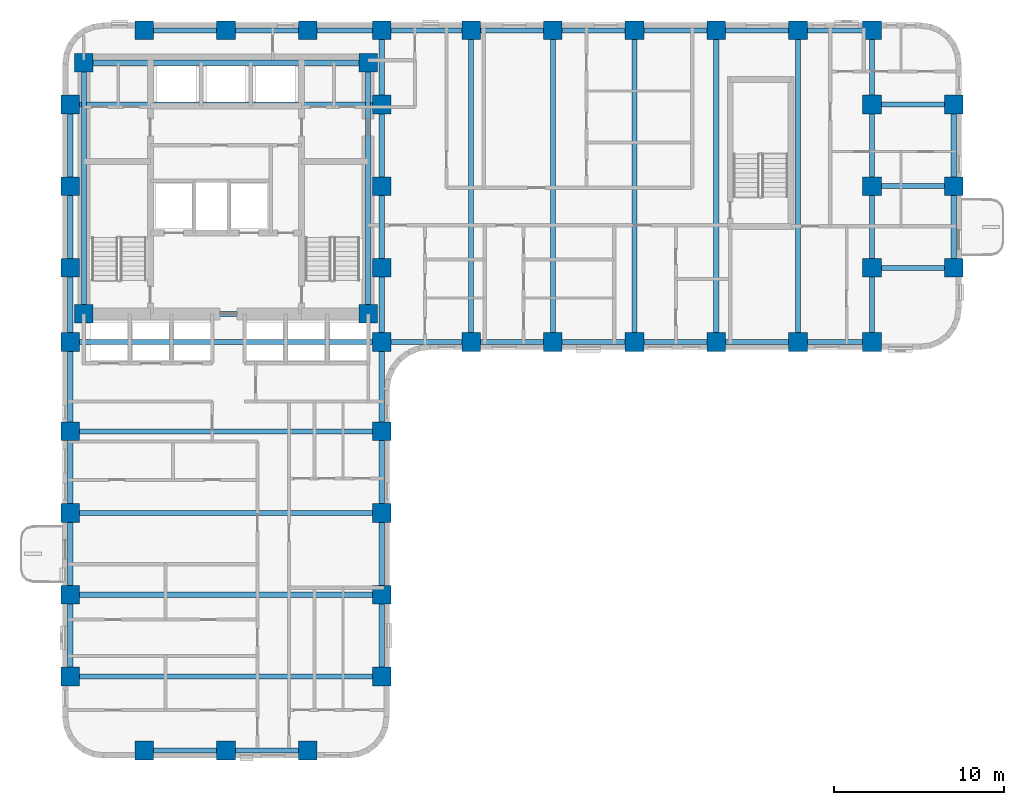
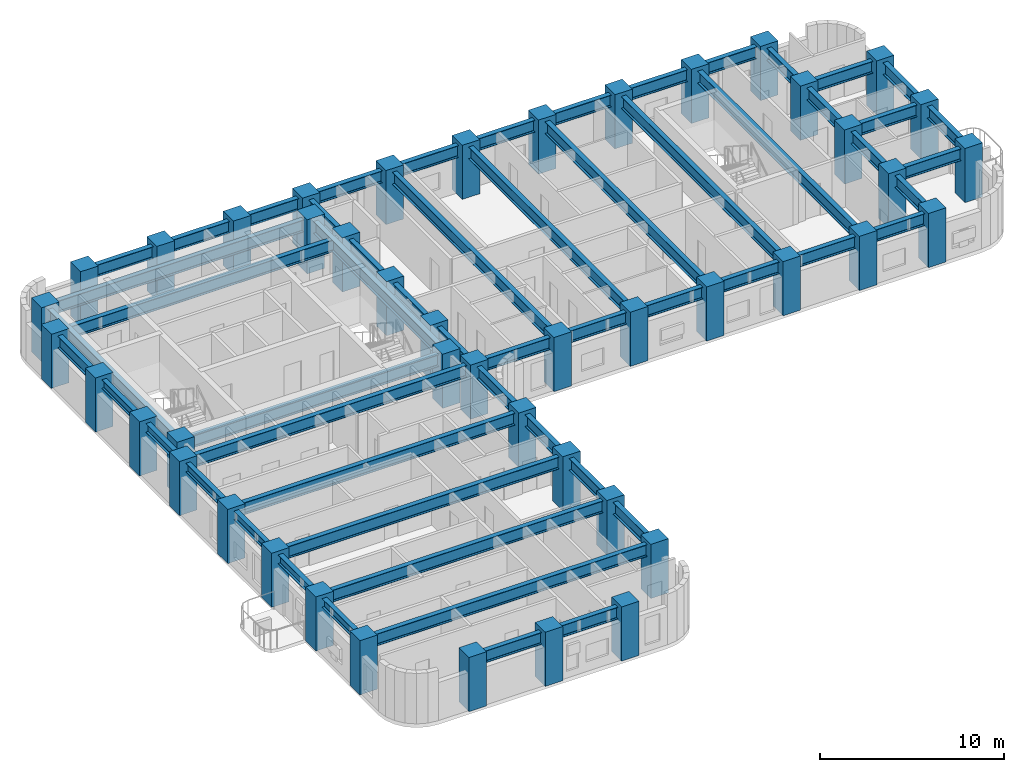
# One storey, part 1 of 11: 56 beams, 45 columns.
"""IFC4 building model written with IfcOpenShell, lengths in metres."""

from ifc_helpers import new_model, si_unit, direction, frame, origin, origin_2d, place, context, subcontext, project, spatial, rectangle, i_section, extrude, material, material_profile, profile_set, type_object, element, save


model = new_model("IFC4")

# Units and contexts
model_context = context("Model", 3, precision=1e-05, world=origin(), true_north=direction((0.0, 1.0)))
body_context = subcontext(model_context, "Body", "Model", "MODEL_VIEW")
ifc_project = project(units=[si_unit("LENGTHUNIT", "METRE"), si_unit("AREAUNIT", "SQUARE_METRE"), si_unit("VOLUMEUNIT", "CUBIC_METRE"), si_unit("PLANEANGLEUNIT", "RADIAN"), si_unit("MASSUNIT", "GRAM", prefix="KILO")], contexts=[model_context])

# Site, building, storey
site_placement = place(None, origin())
site = spatial("IfcSite", under=ifc_project, at=site_placement, CompositionType="ELEMENT")
building_placement = place(site_placement, origin())
building = spatial("IfcBuilding", under=site, at=building_placement, Name="Orvandelia Arch Residences", CompositionType="ELEMENT")
storey_placement = place(building_placement, frame((0.0, 0.0, 46.60009765625)))
storey = spatial("IfcBuildingStorey", under=building, at=storey_placement, Name="L11", CompositionType="ELEMENT", Elevation=46.60009765625)

# Columns
ifc_material_1 = material(Name="Concrete C80/95", Category="concrete")
ifc_material_profile_1 = material_profile(ifc_material_1, rectangle(XDim=1.10009765625, YDim=1.10009765625, at=origin_2d()), Name="Concrete C80/95", Category="concrete")
ifc_profile_set_1 = profile_set([ifc_material_profile_1], Name="Concrete C80/95")
column_type = type_object("IfcColumnType", Name="COL-TWR-1100", PredefinedType="COLUMN", material=ifc_profile_set_1)
for number, where, z_axis, x_axis, name in (
    (1, (5.25, 9.60009765625, 0.0), (0.0, 0.0, 1.0), (1.0, 0.0, 0.0), "Structural Column L11-W-W-96"),
    (2, (5.25, 14.39990234375, 0.0), (0.0, 0.0, 1.0), (1.0, 0.0, 0.0), "Structural Column L11-W-W-144"),
    (3, (5.25, 19.199951171875, 0.0), (0.0, 0.0, 1.0), (1.0, 0.0, 0.0), "Structural Column L11-W-W-192"),
    (4, (5.25, 24.0, 0.0), (0.0, 0.0, 1.0), (1.0, 0.0, 0.0), "Structural Column L11-W-W-240"),
    (5, (5.25, 29.25, 0.0), (0.0, 0.0, 1.0), (1.0, 0.0, 0.0), "Structural Column L11-W-W-292"),
    (6, (5.25, 33.60009765625, 0.0), (0.0, 0.0, 1.0), (1.0, 0.0, 0.0), "Structural Column L11-W-W-336"),
    (7, (5.25, 38.39990234375, 0.0), (0.0, 0.0, 1.0), (1.0, 0.0, 0.0), "Structural Column L11-W-W-384"),
    (8, (5.25, 43.199951171875, 0.0), (0.0, 0.0, 1.0), (1.0, 0.0, 0.0), "Structural Column L11-W-W-432"),
    (9, (6.050048828125, 30.89990234375, 0.0), (0.0, 0.0, 1.0), (1.0, 0.0, 0.0), "Structural Column L11-CR-SW"),
    (10, (6.050048828125, 45.64990234375, 0.0), (0.0, 0.0, 1.0), (1.0, 0.0, 0.0), "Structural Column L11-CR-NW"),
    (11, (9.60009765625, 5.25, 0.0), (0.0, 0.0, 1.0), (1.0, 0.0, 0.0), "Structural Column L11-W-S-96"),
    (12, (9.60009765625, 47.550048828125, 0.0), (0.0, 0.0, 1.0), (1.0, 0.0, 0.0), "Structural Column L11-W-N-96"),
    (13, (14.39990234375, 5.25, 0.0), (0.0, 0.0, 1.0), (1.0, 0.0, 0.0), "Structural Column L11-W-S-144"),
    (14, (14.39990234375, 47.550048828125, 0.0), (0.0, 0.0, 1.0), (1.0, 0.0, 0.0), "Structural Column L11-W-N-144"),
    (15, (19.199951171875, 5.25, 0.0), (0.0, 0.0, 1.0), (1.0, 0.0, 0.0), "Structural Column L11-W-S-192"),
    (16, (19.199951171875, 47.550048828125, 0.0), (0.0, 0.0, 1.0), (1.0, 0.0, 0.0), "Structural Column L11-W-N-192"),
    (17, (22.75, 30.89990234375, 0.0), (0.0, 0.0, 1.0), (1.0, 0.0, 0.0), "Structural Column L11-CR-SE"),
    (18, (22.75, 45.64990234375, 0.0), (0.0, 0.0, 1.0), (1.0, 0.0, 0.0), "Structural Column L11-CR-NE"),
    (19, (23.550048828125, 9.60009765625, 0.0), (0.0, 0.0, 1.0), (1.0, 0.0, 0.0), "Structural Column L11-W-E-96"),
    (20, (23.550048828125, 14.39990234375, 0.0), (0.0, 0.0, 1.0), (1.0, 0.0, 0.0), "Structural Column L11-W-E-144"),
    (21, (23.550048828125, 19.199951171875, 0.0), (0.0, 0.0, 1.0), (1.0, 0.0, 0.0), "Structural Column L11-W-E-192"),
    (22, (23.550048828125, 24.0, 0.0), (0.0, 0.0, 1.0), (1.0, 0.0, 0.0), "Structural Column L11-W-E-240"),
    (23, (23.550048828125, 29.25, 0.0), (0.0, 0.0, 1.0), (1.0, 0.0, 0.0), "Structural Column L11-W-E-292"),
    (24, (23.550048828125, 33.60009765625, 0.0), (0.0, 0.0, 1.0), (1.0, 0.0, 0.0), "Structural Column L11-W-E-336"),
    (25, (23.550048828125, 38.39990234375, 0.0), (0.0, 0.0, 1.0), (1.0, 0.0, 0.0), "Structural Column L11-W-E-384"),
    (26, (23.550048828125, 43.199951171875, 0.0), (0.0, 0.0, 1.0), (1.0, 0.0, 0.0), "Structural Column L11-W-E-432"),
    (27, (23.550048828125, 47.550048828125, 0.0), (0.0, 0.0, 1.0), (1.0, 0.0, 0.0), "Structural Column L11-W-N-235"),
    (28, (28.800048828125, 29.25, 0.0), (0.0, 0.0, 1.0), (1.0, 0.0, 0.0), "Structural Column L11-E-S-288"),
    (29, (28.800048828125, 47.550048828125, 0.0), (0.0, 0.0, 1.0), (1.0, 0.0, 0.0), "Structural Column L11-E-N-288"),
    (30, (33.60009765625, 29.25, 0.0), (0.0, 0.0, 1.0), (1.0, 0.0, 0.0), "Structural Column L11-E-S-336"),
    (31, (33.60009765625, 47.550048828125, 0.0), (0.0, 0.0, 1.0), (1.0, 0.0, 0.0), "Structural Column L11-E-N-336"),
    (32, (38.39990234375, 29.25, 0.0), (0.0, 0.0, 1.0), (1.0, 0.0, 0.0), "Structural Column L11-E-S-384"),
    (33, (38.39990234375, 47.550048828125, 0.0), (0.0, 0.0, 1.0), (1.0, 0.0, 0.0), "Structural Column L11-E-N-384"),
    (34, (43.199951171875, 29.25, 0.0), (0.0, 0.0, 1.0), (1.0, 0.0, 0.0), "Structural Column L11-E-S-432"),
    (35, (43.199951171875, 47.550048828125, 0.0), (0.0, 0.0, 1.0), (1.0, 0.0, 0.0), "Structural Column L11-E-N-432"),
    (36, (48.0, 29.25, 0.0), (0.0, 0.0, 1.0), (1.0, 0.0, 0.0), "Structural Column L11-E-S-480"),
    (37, (48.0, 47.550048828125, 0.0), (0.0, 0.0, 1.0), (1.0, 0.0, 0.0), "Structural Column L11-E-N-480"),
    (38, (52.35009765625, 29.25, 0.0), (0.0, 0.0, 1.0), (1.0, 0.0, 0.0), "Structural Column L11-E-S-523"),
    (39, (52.35009765625, 33.60009765625, 0.0), (0.0, 0.0, 1.0), (1.0, 0.0, 0.0), "Structural Column L11-E-523-336"),
    (40, (52.35009765625, 38.39990234375, 0.0), (0.0, 0.0, 1.0), (1.0, 0.0, 0.0), "Structural Column L11-E-523-384"),
    (41, (52.35009765625, 43.199951171875, 0.0), (0.0, 0.0, 1.0), (1.0, 0.0, 0.0), "Structural Column L11-E-523-432"),
    (42, (52.35009765625, 47.550048828125, 0.0), (0.0, 0.0, 1.0), (1.0, 0.0, 0.0), "Structural Column L11-E-N-523"),
    (43, (57.14990234375, 33.60009765625, 0.0), (0.0, 0.0, 1.0), (1.0, 0.0, 0.0), "Structural Column L11-E-571-336"),
    (44, (57.14990234375, 38.39990234375, 0.0), (0.0, 0.0, 1.0), (1.0, 0.0, 0.0), "Structural Column L11-E-571-384"),
    (45, (57.14990234375, 43.199951171875, 0.0), (0.0, 0.0, 1.0), (1.0, 0.0, 0.0), "Structural Column L11-E-571-432"),
):
    element("IfcColumn", number, at=place(storey_placement, frame(where, z_axis=z_axis, x_axis=x_axis)), inside=storey, type_object=column_type, Name=name, PredefinedType="COLUMN", context=body_context, shape_type="SweptSolid", body=[
        extrude(rectangle(XDim=1.10009765625, YDim=1.10009765625, at=origin_2d()), origin(), (0.0, 0.0, 1.0), 3.599853515625),
    ])

# Beams
ifc_material_2 = material(Name="Structural Steel SM355 (355 MPa)", Category="steel")
ifc_material_profile_2 = material_profile(ifc_material_2, i_section(OverallWidth=0.300048828125, OverallDepth=0.800048828125, WebThickness=0.013916015625, FlangeThickness=0.02587890625, FilletRadius=0.02587890625, at=origin_2d()), Name="Structural Steel SM355 (355 MPa)", Category="steel")
ifc_profile_set_2 = profile_set([ifc_material_profile_2], Name="Structural Steel SM355 (355 MPa)")
beam_type_1 = type_object("IfcBeamType", Name="BM-GRD-H800", PredefinedType="BEAM", material=ifc_profile_set_2)
beam_1_placement = place(storey_placement, frame((5.25, 38.39990234375, 2.949951171875), z_axis=(0.0, 1.0, 0.0), x_axis=(-1.0, 0.0, 0.0)))
element("IfcBeam", 46, at=beam_1_placement, inside=storey, type_object=beam_type_1, Name="Structural Frame Beam L11-NS-007", PredefinedType="BEAM", context=body_context, shape_type="SweptSolid", body=[
    extrude(i_section(OverallWidth=0.300048828125, OverallDepth=0.800048828125, WebThickness=0.013916015625, FlangeThickness=0.02587890625, FilletRadius=0.02587890625, at=origin_2d()), origin(), (0.0, 0.0, 1.0), 4.800048828125),
])
for number, where, z_axis, x_axis, name in (
    (47, (6.050048828125, 30.89990234375, 2.949951171875), (0.0, 1.0, 0.0), (-1.0, 0.0, 0.0), "Structural Frame Beam L11-NS-008"),
    (48, (22.75, 30.89990234375, 2.949951171875), (0.0, 1.0, 0.0), (-1.0, 0.0, 0.0), "Structural Frame Beam L11-NS-009"),
):
    element("IfcBeam", number, at=place(storey_placement, frame(where, z_axis=z_axis, x_axis=x_axis)), inside=storey, type_object=beam_type_1, Name=name, PredefinedType="BEAM", context=body_context, shape_type="SweptSolid", body=[
        extrude(i_section(OverallWidth=0.300048828125, OverallDepth=0.800048828125, WebThickness=0.013916015625, FlangeThickness=0.02587890625, FilletRadius=0.02587890625, at=origin_2d()), origin(), (0.0, 0.0, 1.0), 14.75),
    ])
beam_2_placement = place(storey_placement, frame((23.550048828125, 9.60009765625, 2.949951171875), z_axis=(0.0, 1.0, 0.0), x_axis=(-1.0, 0.0, 0.0)))
element("IfcBeam", 49, at=beam_2_placement, inside=storey, type_object=beam_type_1, Name="Structural Frame Beam L11-NS-010", PredefinedType="BEAM", context=body_context, shape_type="SweptSolid", body=[
    extrude(i_section(OverallWidth=0.300048828125, OverallDepth=0.800048828125, WebThickness=0.013916015625, FlangeThickness=0.02587890625, FilletRadius=0.02587890625, at=origin_2d()), origin(), (0.0, 0.0, 1.0), 4.7998046875),
])
for number, where, z_axis, x_axis, name in (
    (50, (23.550048828125, 14.39990234375, 2.949951171875), (0.0, 1.0, 0.0), (-1.0, 0.0, 0.0), "Structural Frame Beam L11-NS-011"),
    (51, (23.550048828125, 19.199951171875, 2.949951171875), (0.0, 1.0, 0.0), (-1.0, 0.0, 0.0), "Structural Frame Beam L11-NS-012"),
):
    element("IfcBeam", number, at=place(storey_placement, frame(where, z_axis=z_axis, x_axis=x_axis)), inside=storey, type_object=beam_type_1, Name=name, PredefinedType="BEAM", context=body_context, shape_type="SweptSolid", body=[
        extrude(i_section(OverallWidth=0.300048828125, OverallDepth=0.800048828125, WebThickness=0.013916015625, FlangeThickness=0.02587890625, FilletRadius=0.02587890625, at=origin_2d()), origin(), (0.0, 0.0, 1.0), 4.800048828125),
    ])
beam_3_placement = place(storey_placement, frame((23.550048828125, 24.0, 2.949951171875), z_axis=(0.0, 1.0, 0.0), x_axis=(-1.0, 0.0, 0.0)))
element("IfcBeam", 52, at=beam_3_placement, inside=storey, type_object=beam_type_1, Name="Structural Frame Beam L11-NS-013", PredefinedType="BEAM", context=body_context, shape_type="SweptSolid", body=[
    extrude(i_section(OverallWidth=0.300048828125, OverallDepth=0.800048828125, WebThickness=0.013916015625, FlangeThickness=0.02587890625, FilletRadius=0.02587890625, at=origin_2d()), origin(), (0.0, 0.0, 1.0), 5.25),
])
beam_4_placement = place(storey_placement, frame((23.550048828125, 29.25, 2.949951171875), z_axis=(0.0, 1.0, 0.0), x_axis=(-1.0, 0.0, 0.0)))
element("IfcBeam", 53, at=beam_4_placement, inside=storey, type_object=beam_type_1, Name="Structural Frame Beam L11-NS-014", PredefinedType="BEAM", context=body_context, shape_type="SweptSolid", body=[
    extrude(i_section(OverallWidth=0.300048828125, OverallDepth=0.800048828125, WebThickness=0.013916015625, FlangeThickness=0.02587890625, FilletRadius=0.02587890625, at=origin_2d()), origin(), (0.0, 0.0, 1.0), 4.35009765625),
])
beam_5_placement = place(storey_placement, frame((23.550048828125, 33.60009765625, 2.949951171875), z_axis=(0.0, 1.0, 0.0), x_axis=(-1.0, 0.0, 0.0)))
element("IfcBeam", 54, at=beam_5_placement, inside=storey, type_object=beam_type_1, Name="Structural Frame Beam L11-NS-015", PredefinedType="BEAM", context=body_context, shape_type="SweptSolid", body=[
    extrude(i_section(OverallWidth=0.300048828125, OverallDepth=0.800048828125, WebThickness=0.013916015625, FlangeThickness=0.02587890625, FilletRadius=0.02587890625, at=origin_2d()), origin(), (0.0, 0.0, 1.0), 4.7998046875),
])
beam_6_placement = place(storey_placement, frame((23.550048828125, 38.39990234375, 2.949951171875), z_axis=(0.0, 1.0, 0.0), x_axis=(-1.0, 0.0, 0.0)))
element("IfcBeam", 55, at=beam_6_placement, inside=storey, type_object=beam_type_1, Name="Structural Frame Beam L11-NS-016", PredefinedType="BEAM", context=body_context, shape_type="SweptSolid", body=[
    extrude(i_section(OverallWidth=0.300048828125, OverallDepth=0.800048828125, WebThickness=0.013916015625, FlangeThickness=0.02587890625, FilletRadius=0.02587890625, at=origin_2d()), origin(), (0.0, 0.0, 1.0), 4.800048828125),
])
beam_7_placement = place(storey_placement, frame((23.550048828125, 43.199951171875, 2.949951171875), z_axis=(0.0, 1.0, 0.0), x_axis=(-1.0, 0.0, 0.0)))
element("IfcBeam", 56, at=beam_7_placement, inside=storey, type_object=beam_type_1, Name="Structural Frame Beam L11-NS-017", PredefinedType="BEAM", context=body_context, shape_type="SweptSolid", body=[
    extrude(i_section(OverallWidth=0.300048828125, OverallDepth=0.800048828125, WebThickness=0.013916015625, FlangeThickness=0.02587890625, FilletRadius=0.02587890625, at=origin_2d()), origin(), (0.0, 0.0, 1.0), 4.35009765625),
])
for number, where, z_axis, x_axis, name in (
    (57, (28.800048828125, 29.25, 2.949951171875), (0.0, 1.0, 0.0), (-1.0, 0.0, 0.0), "Structural Frame Beam L11-NS-018"),
    (58, (33.60009765625, 29.25, 2.949951171875), (0.0, 1.0, 0.0), (-1.0, 0.0, 0.0), "Structural Frame Beam L11-NS-019"),
    (59, (38.39990234375, 29.25, 2.949951171875), (0.0, 1.0, 0.0), (-1.0, 0.0, 0.0), "Structural Frame Beam L11-NS-020"),
    (60, (43.199951171875, 29.25, 2.949951171875), (0.0, 1.0, 0.0), (-1.0, 0.0, 0.0), "Structural Frame Beam L11-NS-021"),
    (61, (48.0, 29.25, 2.949951171875), (0.0, 1.0, 0.0), (-1.0, 0.0, 0.0), "Structural Frame Beam L11-NS-022"),
):
    element("IfcBeam", number, at=place(storey_placement, frame(where, z_axis=z_axis, x_axis=x_axis)), inside=storey, type_object=beam_type_1, Name=name, PredefinedType="BEAM", context=body_context, shape_type="SweptSolid", body=[
        extrude(i_section(OverallWidth=0.300048828125, OverallDepth=0.800048828125, WebThickness=0.013916015625, FlangeThickness=0.02587890625, FilletRadius=0.02587890625, at=origin_2d()), origin(), (0.0, 0.0, 1.0), 18.300048828125),
    ])
beam_8_placement = place(storey_placement, frame((52.35009765625, 29.25, 2.949951171875), z_axis=(0.0, 1.0, 0.0), x_axis=(-1.0, 0.0, 0.0)))
element("IfcBeam", 62, at=beam_8_placement, inside=storey, type_object=beam_type_1, Name="Structural Frame Beam L11-NS-023", PredefinedType="BEAM", context=body_context, shape_type="SweptSolid", body=[
    extrude(i_section(OverallWidth=0.300048828125, OverallDepth=0.800048828125, WebThickness=0.013916015625, FlangeThickness=0.02587890625, FilletRadius=0.02587890625, at=origin_2d()), origin(), (0.0, 0.0, 1.0), 4.35009765625),
])
beam_9_placement = place(storey_placement, frame((52.35009765625, 33.60009765625, 2.949951171875), z_axis=(0.0, 1.0, 0.0), x_axis=(-1.0, 0.0, 0.0)))
element("IfcBeam", 63, at=beam_9_placement, inside=storey, type_object=beam_type_1, Name="Structural Frame Beam L11-NS-024", PredefinedType="BEAM", context=body_context, shape_type="SweptSolid", body=[
    extrude(i_section(OverallWidth=0.300048828125, OverallDepth=0.800048828125, WebThickness=0.013916015625, FlangeThickness=0.02587890625, FilletRadius=0.02587890625, at=origin_2d()), origin(), (0.0, 0.0, 1.0), 4.7998046875),
])
beam_10_placement = place(storey_placement, frame((52.35009765625, 38.39990234375, 2.949951171875), z_axis=(0.0, 1.0, 0.0), x_axis=(-1.0, 0.0, 0.0)))
element("IfcBeam", 64, at=beam_10_placement, inside=storey, type_object=beam_type_1, Name="Structural Frame Beam L11-NS-025", PredefinedType="BEAM", context=body_context, shape_type="SweptSolid", body=[
    extrude(i_section(OverallWidth=0.300048828125, OverallDepth=0.800048828125, WebThickness=0.013916015625, FlangeThickness=0.02587890625, FilletRadius=0.02587890625, at=origin_2d()), origin(), (0.0, 0.0, 1.0), 4.800048828125),
])
beam_11_placement = place(storey_placement, frame((52.35009765625, 43.199951171875, 2.949951171875), z_axis=(0.0, 1.0, 0.0), x_axis=(-1.0, 0.0, 0.0)))
element("IfcBeam", 65, at=beam_11_placement, inside=storey, type_object=beam_type_1, Name="Structural Frame Beam L11-NS-026", PredefinedType="BEAM", context=body_context, shape_type="SweptSolid", body=[
    extrude(i_section(OverallWidth=0.300048828125, OverallDepth=0.800048828125, WebThickness=0.013916015625, FlangeThickness=0.02587890625, FilletRadius=0.02587890625, at=origin_2d()), origin(), (0.0, 0.0, 1.0), 4.35009765625),
])
beam_12_placement = place(storey_placement, frame((57.14990234375, 33.60009765625, 2.949951171875), z_axis=(0.0, 1.0, 0.0), x_axis=(-1.0, 0.0, 0.0)))
element("IfcBeam", 66, at=beam_12_placement, inside=storey, type_object=beam_type_1, Name="Structural Frame Beam L11-NS-027", PredefinedType="BEAM", context=body_context, shape_type="SweptSolid", body=[
    extrude(i_section(OverallWidth=0.300048828125, OverallDepth=0.800048828125, WebThickness=0.013916015625, FlangeThickness=0.02587890625, FilletRadius=0.02587890625, at=origin_2d()), origin(), (0.0, 0.0, 1.0), 4.7998046875),
])
beam_13_placement = place(storey_placement, frame((57.14990234375, 38.39990234375, 2.949951171875), z_axis=(0.0, 1.0, 0.0), x_axis=(-1.0, 0.0, 0.0)))
element("IfcBeam", 67, at=beam_13_placement, inside=storey, type_object=beam_type_1, Name="Structural Frame Beam L11-NS-028", PredefinedType="BEAM", context=body_context, shape_type="SweptSolid", body=[
    extrude(i_section(OverallWidth=0.300048828125, OverallDepth=0.800048828125, WebThickness=0.013916015625, FlangeThickness=0.02587890625, FilletRadius=0.02587890625, at=origin_2d()), origin(), (0.0, 0.0, 1.0), 4.800048828125),
])
beam_14_placement = place(storey_placement, frame((9.60009765625, 5.25, 2.949951171875), z_axis=(1.0, 0.0, 0.0), x_axis=(0.0, 1.0, 0.0)))
element("IfcBeam", 68, at=beam_14_placement, inside=storey, type_object=beam_type_1, Name="Structural Frame Girder L11-EW-029", PredefinedType="BEAM", context=body_context, shape_type="SweptSolid", body=[
    extrude(i_section(OverallWidth=0.300048828125, OverallDepth=0.800048828125, WebThickness=0.013916015625, FlangeThickness=0.02587890625, FilletRadius=0.02587890625, at=origin_2d()), origin(), (0.0, 0.0, 1.0), 4.7998046875),
])
beam_15_placement = place(storey_placement, frame((14.39990234375, 5.25, 2.949951171875), z_axis=(1.0, 0.0, 0.0), x_axis=(0.0, 1.0, 0.0)))
element("IfcBeam", 69, at=beam_15_placement, inside=storey, type_object=beam_type_1, Name="Structural Frame Girder L11-EW-030", PredefinedType="BEAM", context=body_context, shape_type="SweptSolid", body=[
    extrude(i_section(OverallWidth=0.300048828125, OverallDepth=0.800048828125, WebThickness=0.013916015625, FlangeThickness=0.02587890625, FilletRadius=0.02587890625, at=origin_2d()), origin(), (0.0, 0.0, 1.0), 4.800048828125),
])
for number, where, z_axis, x_axis, name in (
    (70, (5.25, 9.60009765625, 2.949951171875), (1.0, 0.0, 0.0), (0.0, 1.0, 0.0), "Structural Frame Girder L11-EW-031"),
    (71, (5.25, 14.39990234375, 2.949951171875), (1.0, 0.0, 0.0), (0.0, 1.0, 0.0), "Structural Frame Girder L11-EW-032"),
    (72, (5.25, 19.199951171875, 2.949951171875), (1.0, 0.0, 0.0), (0.0, 1.0, 0.0), "Structural Frame Girder L11-EW-033"),
    (73, (5.25, 24.0, 2.949951171875), (1.0, 0.0, 0.0), (0.0, 1.0, 0.0), "Structural Frame Girder L11-EW-034"),
    (74, (5.25, 29.25, 2.949951171875), (1.0, 0.0, 0.0), (0.0, 1.0, 0.0), "Structural Frame Girder L11-EW-035"),
):
    element("IfcBeam", number, at=place(storey_placement, frame(where, z_axis=z_axis, x_axis=x_axis)), inside=storey, type_object=beam_type_1, Name=name, PredefinedType="BEAM", context=body_context, shape_type="SweptSolid", body=[
        extrude(i_section(OverallWidth=0.300048828125, OverallDepth=0.800048828125, WebThickness=0.013916015625, FlangeThickness=0.02587890625, FilletRadius=0.02587890625, at=origin_2d()), origin(), (0.0, 0.0, 1.0), 18.300048828125),
    ])
beam_16_placement = place(storey_placement, frame((23.550048828125, 29.25, 2.949951171875), z_axis=(1.0, 0.0, 0.0), x_axis=(0.0, 1.0, 0.0)))
element("IfcBeam", 75, at=beam_16_placement, inside=storey, type_object=beam_type_1, Name="Structural Frame Girder L11-EW-036", PredefinedType="BEAM", context=body_context, shape_type="SweptSolid", body=[
    extrude(i_section(OverallWidth=0.300048828125, OverallDepth=0.800048828125, WebThickness=0.013916015625, FlangeThickness=0.02587890625, FilletRadius=0.02587890625, at=origin_2d()), origin(), (0.0, 0.0, 1.0), 5.25),
])
beam_17_placement = place(storey_placement, frame((28.800048828125, 29.25, 2.949951171875), z_axis=(1.0, 0.0, 0.0), x_axis=(0.0, 1.0, 0.0)))
element("IfcBeam", 76, at=beam_17_placement, inside=storey, type_object=beam_type_1, Name="Structural Frame Girder L11-EW-037", PredefinedType="BEAM", context=body_context, shape_type="SweptSolid", body=[
    extrude(i_section(OverallWidth=0.300048828125, OverallDepth=0.800048828125, WebThickness=0.013916015625, FlangeThickness=0.02587890625, FilletRadius=0.02587890625, at=origin_2d()), origin(), (0.0, 0.0, 1.0), 4.800048828125),
])
beam_18_placement = place(storey_placement, frame((33.60009765625, 29.25, 2.949951171875), z_axis=(1.0, 0.0, 0.0), x_axis=(0.0, 1.0, 0.0)))
element("IfcBeam", 77, at=beam_18_placement, inside=storey, type_object=beam_type_1, Name="Structural Frame Girder L11-EW-038", PredefinedType="BEAM", context=body_context, shape_type="SweptSolid", body=[
    extrude(i_section(OverallWidth=0.300048828125, OverallDepth=0.800048828125, WebThickness=0.013916015625, FlangeThickness=0.02587890625, FilletRadius=0.02587890625, at=origin_2d()), origin(), (0.0, 0.0, 1.0), 4.7998046875),
])
for number, where, z_axis, x_axis, name in (
    (78, (38.39990234375, 29.25, 2.949951171875), (1.0, 0.0, 0.0), (0.0, 1.0, 0.0), "Structural Frame Girder L11-EW-039"),
    (79, (43.199951171875, 29.25, 2.949951171875), (1.0, 0.0, 0.0), (0.0, 1.0, 0.0), "Structural Frame Girder L11-EW-040"),
):
    element("IfcBeam", number, at=place(storey_placement, frame(where, z_axis=z_axis, x_axis=x_axis)), inside=storey, type_object=beam_type_1, Name=name, PredefinedType="BEAM", context=body_context, shape_type="SweptSolid", body=[
        extrude(i_section(OverallWidth=0.300048828125, OverallDepth=0.800048828125, WebThickness=0.013916015625, FlangeThickness=0.02587890625, FilletRadius=0.02587890625, at=origin_2d()), origin(), (0.0, 0.0, 1.0), 4.800048828125),
    ])
beam_19_placement = place(storey_placement, frame((48.0, 29.25, 2.949951171875), z_axis=(1.0, 0.0, 0.0), x_axis=(0.0, 1.0, 0.0)))
element("IfcBeam", 80, at=beam_19_placement, inside=storey, type_object=beam_type_1, Name="Structural Frame Girder L11-EW-041", PredefinedType="BEAM", context=body_context, shape_type="SweptSolid", body=[
    extrude(i_section(OverallWidth=0.300048828125, OverallDepth=0.800048828125, WebThickness=0.013916015625, FlangeThickness=0.02587890625, FilletRadius=0.02587890625, at=origin_2d()), origin(), (0.0, 0.0, 1.0), 4.35009765625),
])
beam_20_placement = place(storey_placement, frame((6.050048828125, 30.89990234375, 2.949951171875), z_axis=(1.0, 0.0, 0.0), x_axis=(0.0, 1.0, 0.0)))
element("IfcBeam", 81, at=beam_20_placement, inside=storey, type_object=beam_type_1, Name="Structural Frame Girder L11-EW-042", PredefinedType="BEAM", context=body_context, shape_type="SweptSolid", body=[
    extrude(i_section(OverallWidth=0.300048828125, OverallDepth=0.800048828125, WebThickness=0.013916015625, FlangeThickness=0.02587890625, FilletRadius=0.02587890625, at=origin_2d()), origin(), (0.0, 0.0, 1.0), 16.699951171875),
])
for number, where, z_axis, x_axis, name in (
    (82, (52.35009765625, 33.60009765625, 2.949951171875), (1.0, 0.0, 0.0), (0.0, 1.0, 0.0), "Structural Frame Girder L11-EW-044"),
    (83, (52.35009765625, 38.39990234375, 2.949951171875), (1.0, 0.0, 0.0), (0.0, 1.0, 0.0), "Structural Frame Girder L11-EW-046"),
):
    element("IfcBeam", number, at=place(storey_placement, frame(where, z_axis=z_axis, x_axis=x_axis)), inside=storey, type_object=beam_type_1, Name=name, PredefinedType="BEAM", context=body_context, shape_type="SweptSolid", body=[
        extrude(i_section(OverallWidth=0.300048828125, OverallDepth=0.800048828125, WebThickness=0.013916015625, FlangeThickness=0.02587890625, FilletRadius=0.02587890625, at=origin_2d()), origin(), (0.0, 0.0, 1.0), 4.7998046875),
    ])
beam_21_placement = place(storey_placement, frame((5.25, 43.199951171875, 2.949951171875), z_axis=(1.0, 0.0, 0.0), x_axis=(0.0, 1.0, 0.0)))
element("IfcBeam", 84, at=beam_21_placement, inside=storey, type_object=beam_type_1, Name="Structural Frame Girder L11-EW-047", PredefinedType="BEAM", context=body_context, shape_type="SweptSolid", body=[
    extrude(i_section(OverallWidth=0.300048828125, OverallDepth=0.800048828125, WebThickness=0.013916015625, FlangeThickness=0.02587890625, FilletRadius=0.02587890625, at=origin_2d()), origin(), (0.0, 0.0, 1.0), 18.300048828125),
])
beam_22_placement = place(storey_placement, frame((52.35009765625, 43.199951171875, 2.949951171875), z_axis=(1.0, 0.0, 0.0), x_axis=(0.0, 1.0, 0.0)))
element("IfcBeam", 85, at=beam_22_placement, inside=storey, type_object=beam_type_1, Name="Structural Frame Girder L11-EW-048", PredefinedType="BEAM", context=body_context, shape_type="SweptSolid", body=[
    extrude(i_section(OverallWidth=0.300048828125, OverallDepth=0.800048828125, WebThickness=0.013916015625, FlangeThickness=0.02587890625, FilletRadius=0.02587890625, at=origin_2d()), origin(), (0.0, 0.0, 1.0), 4.7998046875),
])
beam_23_placement = place(storey_placement, frame((6.050048828125, 45.64990234375, 2.949951171875), z_axis=(1.0, 0.0, 0.0), x_axis=(0.0, 1.0, 0.0)))
element("IfcBeam", 86, at=beam_23_placement, inside=storey, type_object=beam_type_1, Name="Structural Frame Girder L11-EW-049", PredefinedType="BEAM", context=body_context, shape_type="SweptSolid", body=[
    extrude(i_section(OverallWidth=0.300048828125, OverallDepth=0.800048828125, WebThickness=0.013916015625, FlangeThickness=0.02587890625, FilletRadius=0.02587890625, at=origin_2d()), origin(), (0.0, 0.0, 1.0), 16.699951171875),
])
beam_24_placement = place(storey_placement, frame((9.60009765625, 47.550048828125, 2.949951171875), z_axis=(1.0, 0.0, 0.0), x_axis=(0.0, 1.0, 0.0)))
element("IfcBeam", 87, at=beam_24_placement, inside=storey, type_object=beam_type_1, Name="Structural Frame Girder L11-EW-050", PredefinedType="BEAM", context=body_context, shape_type="SweptSolid", body=[
    extrude(i_section(OverallWidth=0.300048828125, OverallDepth=0.800048828125, WebThickness=0.013916015625, FlangeThickness=0.02587890625, FilletRadius=0.02587890625, at=origin_2d()), origin(), (0.0, 0.0, 1.0), 4.7998046875),
])
beam_25_placement = place(storey_placement, frame((14.39990234375, 47.550048828125, 2.949951171875), z_axis=(1.0, 0.0, 0.0), x_axis=(0.0, 1.0, 0.0)))
element("IfcBeam", 88, at=beam_25_placement, inside=storey, type_object=beam_type_1, Name="Structural Frame Girder L11-EW-051", PredefinedType="BEAM", context=body_context, shape_type="SweptSolid", body=[
    extrude(i_section(OverallWidth=0.300048828125, OverallDepth=0.800048828125, WebThickness=0.013916015625, FlangeThickness=0.02587890625, FilletRadius=0.02587890625, at=origin_2d()), origin(), (0.0, 0.0, 1.0), 4.800048828125),
])
beam_26_placement = place(storey_placement, frame((19.199951171875, 47.550048828125, 2.949951171875), z_axis=(1.0, 0.0, 0.0), x_axis=(0.0, 1.0, 0.0)))
element("IfcBeam", 89, at=beam_26_placement, inside=storey, type_object=beam_type_1, Name="Structural Frame Girder L11-EW-052", PredefinedType="BEAM", context=body_context, shape_type="SweptSolid", body=[
    extrude(i_section(OverallWidth=0.300048828125, OverallDepth=0.800048828125, WebThickness=0.013916015625, FlangeThickness=0.02587890625, FilletRadius=0.02587890625, at=origin_2d()), origin(), (0.0, 0.0, 1.0), 4.35009765625),
])
beam_27_placement = place(storey_placement, frame((23.550048828125, 47.550048828125, 2.949951171875), z_axis=(1.0, 0.0, 0.0), x_axis=(0.0, 1.0, 0.0)))
element("IfcBeam", 90, at=beam_27_placement, inside=storey, type_object=beam_type_1, Name="Structural Frame Girder L11-EW-053", PredefinedType="BEAM", context=body_context, shape_type="SweptSolid", body=[
    extrude(i_section(OverallWidth=0.300048828125, OverallDepth=0.800048828125, WebThickness=0.013916015625, FlangeThickness=0.02587890625, FilletRadius=0.02587890625, at=origin_2d()), origin(), (0.0, 0.0, 1.0), 5.25),
])
beam_28_placement = place(storey_placement, frame((28.800048828125, 47.550048828125, 2.949951171875), z_axis=(1.0, 0.0, 0.0), x_axis=(0.0, 1.0, 0.0)))
element("IfcBeam", 91, at=beam_28_placement, inside=storey, type_object=beam_type_1, Name="Structural Frame Girder L11-EW-054", PredefinedType="BEAM", context=body_context, shape_type="SweptSolid", body=[
    extrude(i_section(OverallWidth=0.300048828125, OverallDepth=0.800048828125, WebThickness=0.013916015625, FlangeThickness=0.02587890625, FilletRadius=0.02587890625, at=origin_2d()), origin(), (0.0, 0.0, 1.0), 4.800048828125),
])
beam_29_placement = place(storey_placement, frame((33.60009765625, 47.550048828125, 2.949951171875), z_axis=(1.0, 0.0, 0.0), x_axis=(0.0, 1.0, 0.0)))
element("IfcBeam", 92, at=beam_29_placement, inside=storey, type_object=beam_type_1, Name="Structural Frame Girder L11-EW-055", PredefinedType="BEAM", context=body_context, shape_type="SweptSolid", body=[
    extrude(i_section(OverallWidth=0.300048828125, OverallDepth=0.800048828125, WebThickness=0.013916015625, FlangeThickness=0.02587890625, FilletRadius=0.02587890625, at=origin_2d()), origin(), (0.0, 0.0, 1.0), 4.7998046875),
])
for number, where, z_axis, x_axis, name in (
    (93, (38.39990234375, 47.550048828125, 2.949951171875), (1.0, 0.0, 0.0), (0.0, 1.0, 0.0), "Structural Frame Girder L11-EW-056"),
    (94, (43.199951171875, 47.550048828125, 2.949951171875), (1.0, 0.0, 0.0), (0.0, 1.0, 0.0), "Structural Frame Girder L11-EW-057"),
):
    element("IfcBeam", number, at=place(storey_placement, frame(where, z_axis=z_axis, x_axis=x_axis)), inside=storey, type_object=beam_type_1, Name=name, PredefinedType="BEAM", context=body_context, shape_type="SweptSolid", body=[
        extrude(i_section(OverallWidth=0.300048828125, OverallDepth=0.800048828125, WebThickness=0.013916015625, FlangeThickness=0.02587890625, FilletRadius=0.02587890625, at=origin_2d()), origin(), (0.0, 0.0, 1.0), 4.800048828125),
    ])
beam_30_placement = place(storey_placement, frame((48.0, 47.550048828125, 2.949951171875), z_axis=(1.0, 0.0, 0.0), x_axis=(0.0, 1.0, 0.0)))
element("IfcBeam", 95, at=beam_30_placement, inside=storey, type_object=beam_type_1, Name="Structural Frame Girder L11-EW-058", PredefinedType="BEAM", context=body_context, shape_type="SweptSolid", body=[
    extrude(i_section(OverallWidth=0.300048828125, OverallDepth=0.800048828125, WebThickness=0.013916015625, FlangeThickness=0.02587890625, FilletRadius=0.02587890625, at=origin_2d()), origin(), (0.0, 0.0, 1.0), 4.35009765625),
])
ifc_material_profile_3 = material_profile(ifc_material_2, i_section(OverallWidth=0.300048828125, OverallDepth=0.587890625, WebThickness=0.011962890625, FlangeThickness=0.02001953125, FilletRadius=0.02197265625, at=origin_2d()), Name="Structural Steel SM355 (355 MPa)", Category="steel")
ifc_profile_set_3 = profile_set([ifc_material_profile_3], Name="Structural Steel SM355 (355 MPa)")
beam_type_2 = type_object("IfcBeamType", Name="BM-SPN-H588", PredefinedType="SPANDREL", material=ifc_profile_set_3)
beam_31_placement = place(storey_placement, frame((5.25, 9.60009765625, 3.055908203125), z_axis=(0.0, 1.0, 0.0), x_axis=(-1.0, 0.0, 0.0)))
element("IfcBeam", 96, at=beam_31_placement, inside=storey, type_object=beam_type_2, Name="Structural Frame Beam L11-NS-001", PredefinedType="SPANDREL", context=body_context, shape_type="SweptSolid", body=[
    extrude(i_section(OverallWidth=0.300048828125, OverallDepth=0.587890625, WebThickness=0.011962890625, FlangeThickness=0.02001953125, FilletRadius=0.02197265625, at=origin_2d()), origin(), (0.0, 0.0, 1.0), 4.7998046875),
])
for number, where, z_axis, x_axis, name in (
    (97, (5.25, 14.39990234375, 3.055908203125), (0.0, 1.0, 0.0), (-1.0, 0.0, 0.0), "Structural Frame Beam L11-NS-002"),
    (98, (5.25, 19.199951171875, 3.055908203125), (0.0, 1.0, 0.0), (-1.0, 0.0, 0.0), "Structural Frame Beam L11-NS-003"),
):
    element("IfcBeam", number, at=place(storey_placement, frame(where, z_axis=z_axis, x_axis=x_axis)), inside=storey, type_object=beam_type_2, Name=name, PredefinedType="SPANDREL", context=body_context, shape_type="SweptSolid", body=[
        extrude(i_section(OverallWidth=0.300048828125, OverallDepth=0.587890625, WebThickness=0.011962890625, FlangeThickness=0.02001953125, FilletRadius=0.02197265625, at=origin_2d()), origin(), (0.0, 0.0, 1.0), 4.800048828125),
    ])
beam_32_placement = place(storey_placement, frame((5.25, 24.0, 3.055908203125), z_axis=(0.0, 1.0, 0.0), x_axis=(-1.0, 0.0, 0.0)))
element("IfcBeam", 99, at=beam_32_placement, inside=storey, type_object=beam_type_2, Name="Structural Frame Beam L11-NS-004", PredefinedType="SPANDREL", context=body_context, shape_type="SweptSolid", body=[
    extrude(i_section(OverallWidth=0.300048828125, OverallDepth=0.587890625, WebThickness=0.011962890625, FlangeThickness=0.02001953125, FilletRadius=0.02197265625, at=origin_2d()), origin(), (0.0, 0.0, 1.0), 5.25),
])
beam_33_placement = place(storey_placement, frame((5.25, 29.25, 3.055908203125), z_axis=(0.0, 1.0, 0.0), x_axis=(-1.0, 0.0, 0.0)))
element("IfcBeam", 100, at=beam_33_placement, inside=storey, type_object=beam_type_2, Name="Structural Frame Beam L11-NS-005", PredefinedType="SPANDREL", context=body_context, shape_type="SweptSolid", body=[
    extrude(i_section(OverallWidth=0.300048828125, OverallDepth=0.587890625, WebThickness=0.011962890625, FlangeThickness=0.02001953125, FilletRadius=0.02197265625, at=origin_2d()), origin(), (0.0, 0.0, 1.0), 4.35009765625),
])
beam_34_placement = place(storey_placement, frame((5.25, 33.60009765625, 3.055908203125), z_axis=(0.0, 1.0, 0.0), x_axis=(-1.0, 0.0, 0.0)))
element("IfcBeam", 101, at=beam_34_placement, inside=storey, type_object=beam_type_2, Name="Structural Frame Beam L11-NS-006", PredefinedType="SPANDREL", context=body_context, shape_type="SweptSolid", body=[
    extrude(i_section(OverallWidth=0.300048828125, OverallDepth=0.587890625, WebThickness=0.011962890625, FlangeThickness=0.02001953125, FilletRadius=0.02197265625, at=origin_2d()), origin(), (0.0, 0.0, 1.0), 4.7998046875),
])

save(model, "model.ifc")
